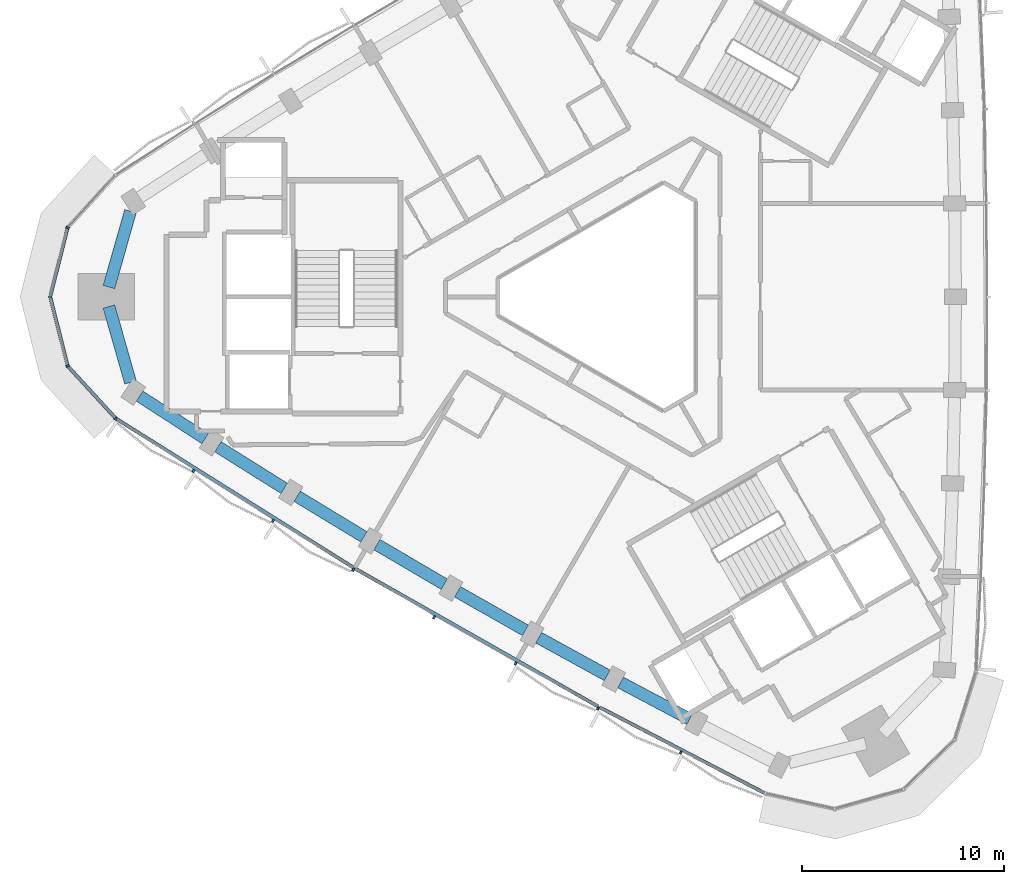
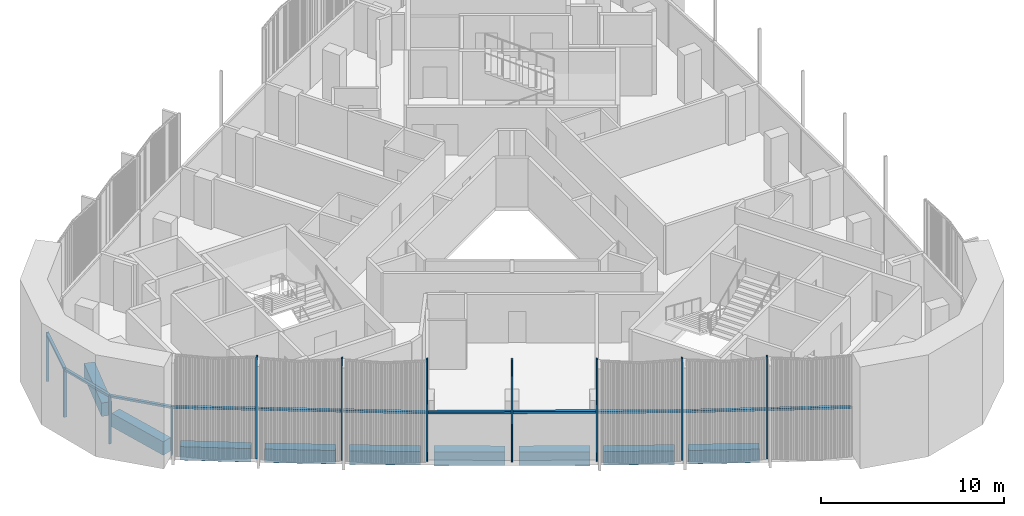
# One storey, part 2 of 14: 17 members, 9 beams, 2 elements without a shape of their own.
"""IFC4 building model written with IfcOpenShell, lengths in metres."""

from ifc_helpers import new_model, si_unit, direction, frame, origin, origin_2d, place, context, subcontext, project, spatial, rectangle, extrude, material, material_profile, profile_set, type_object, element, aggregate, save


model = new_model("IFC4")

# Units and contexts
model_context = context("Model", 3, precision=1e-05, world=origin(), true_north=direction((0.0, 1.0)))
body_context = subcontext(model_context, "Body", "Model", "MODEL_VIEW")
ifc_project = project(units=[si_unit("LENGTHUNIT", "METRE"), si_unit("AREAUNIT", "SQUARE_METRE"), si_unit("VOLUMEUNIT", "CUBIC_METRE"), si_unit("PLANEANGLEUNIT", "RADIAN"), si_unit("MASSUNIT", "GRAM", prefix="KILO")], contexts=[model_context])

# Site, building, storey
site_placement = place(None, origin())
site = spatial("IfcSite", under=ifc_project, at=site_placement, CompositionType="ELEMENT")
building_placement = place(site_placement, origin())
building = spatial("IfcBuilding", under=site, at=building_placement, Name="Tamra Quay Hotel Tower", CompositionType="ELEMENT")
storey_placement = place(building_placement, frame((0.0, 0.0, 250.199951171875)))
storey = spatial("IfcBuildingStorey", under=building, at=storey_placement, Name="L63", CompositionType="ELEMENT", Elevation=250.199951171875)

# Curtain wall, members
ifc_material_1 = material(Name="Aluminium 6063 anodised dark grey", Category="aluminium")
curtain_wall_type_1 = type_object("IfcCurtainWallType", Name="CW2 CURTAIN WALL", PredefinedType="NOTDEFINED", material=ifc_material_1)
curtain_wall_1_placement = place(storey_placement, origin())
curtain_wall_1 = element("IfcCurtainWall", 1, at=curtain_wall_1_placement, inside=storey, type_object=curtain_wall_type_1, Name="CW2 north-west face L63", PredefinedType="NOTDEFINED")
ifc_material_profile_1 = material_profile(ifc_material_1, rectangle(XDim=0.169921875, YDim=0.10009765625, at=origin_2d()), Name="MULLION 100X170")
ifc_profile_set_1 = profile_set([ifc_material_profile_1], Name="Aluminium 6063 anodised dark grey")
member_type_1 = type_object("IfcMemberType", Name="MULLION CW2 Z5", PredefinedType="MULLION", material=ifc_profile_set_1)
member_1_placement = place(storey_placement, frame((-27.329345703125, 3.427734375, 0.0), z_axis=(0.0, 0.0, 1.0), x_axis=(-0.880266804781, 0.474479032624, 0.0)))
member_1 = element("IfcMember", 2, at=member_1_placement, type_object=member_type_1, Name="CW2 mullion L63.NW.10", PredefinedType="MULLION", context=body_context, shape_type="SweptSolid", body=[
    extrude(rectangle(XDim=0.169921875, YDim=0.10009765625, at=origin_2d()), origin(), (0.0, 0.0, 1.0), 3.25),
])
member_2_placement = place(storey_placement, frame((-28.1943359375, 0.0, 0.0), z_axis=(0.0, 0.0, 1.0), x_axis=(-1.0, 0.0, 0.0)))
member_2 = element("IfcMember", 3, at=member_2_placement, type_object=member_type_1, Name="CW2 mullion L63.NW.11", PredefinedType="MULLION", context=body_context, shape_type="SweptSolid", body=[
    extrude(rectangle(XDim=0.169921875, YDim=0.10009765625, at=origin_2d()), origin(), (0.0, 0.0, 1.0), 3.25),
])
member_3_placement = place(storey_placement, frame((-27.329345703125, -3.427734375, 0.0), z_axis=(0.0, 0.0, 1.0), x_axis=(-0.880266804781, -0.474479032624, 0.0)))
member_3 = element("IfcMember", 4, at=member_3_placement, type_object=member_type_1, Name="CW2 mullion L63.NW.12", PredefinedType="MULLION", context=body_context, shape_type="SweptSolid", body=[
    extrude(rectangle(XDim=0.169921875, YDim=0.10009765625, at=origin_2d()), origin(), (0.0, 0.0, 1.0), 3.25),
])

curtain_wall_type_2 = type_object("IfcCurtainWallType", Name="CW3 CURTAIN WALL", PredefinedType="NOTDEFINED", material=ifc_material_1)
curtain_wall_2_placement = place(storey_placement, origin())
curtain_wall_2 = element("IfcCurtainWall", 5, at=curtain_wall_2_placement, inside=storey, type_object=curtain_wall_type_2, Name="CW3 south-west face L63", PredefinedType="NOTDEFINED")
ifc_material_profile_2 = material_profile(ifc_material_1, rectangle(XDim=0.169921875, YDim=0.10009765625, at=origin_2d()), Name="MULLION 100X170")
ifc_profile_set_2 = profile_set([ifc_material_profile_2], Name="Aluminium 6063 anodised dark grey")
member_type_2 = type_object("IfcMemberType", Name="MULLION CW3 Z5", PredefinedType="MULLION", material=ifc_profile_set_2)
member_4_placement = place(storey_placement, frame((-24.941650390625, -6.034423828125, 0.0), z_axis=(0.0, 0.0, 1.0), x_axis=(-0.645846473255, -0.763467309702, 0.0)))
member_4 = element("IfcMember", 6, at=member_4_placement, type_object=member_type_2, Name="CW3 mullion L63.SW.1", PredefinedType="MULLION", context=body_context, shape_type="SweptSolid", body=[
    extrude(rectangle(XDim=0.169921875, YDim=0.10009765625, at=origin_2d()), origin(), (0.0, 0.0, 1.0), 3.25),
])
member_5_placement = place(storey_placement, frame((-21.086669921875, -8.634033203125, 0.0), z_axis=(0.0, 0.0, 1.0), x_axis=(-0.537684349575, -0.84314621521, 0.0)))
member_5 = element("IfcMember", 7, at=member_5_placement, type_object=member_type_2, Name="CW3 mullion L63.SW.2", PredefinedType="MULLION", context=body_context, shape_type="SweptSolid", body=[
    extrude(rectangle(XDim=0.169921875, YDim=0.10009765625, at=origin_2d()), origin(), (0.0, 0.0, 1.0), 6.800048828125),
])
member_6_placement = place(storey_placement, frame((-17.14794921875, -11.10546875, 0.0), z_axis=(0.0, 0.0, 1.0), x_axis=(-0.525248894611, -0.850948646341, 0.0)))
member_6 = element("IfcMember", 8, at=member_6_placement, type_object=member_type_2, Name="CW3 mullion L63.SW.3", PredefinedType="MULLION", context=body_context, shape_type="SweptSolid", body=[
    extrude(rectangle(XDim=0.169921875, YDim=0.10009765625, at=origin_2d()), origin(), (0.0, 0.0, 1.0), 6.800048828125),
])
member_7_placement = place(storey_placement, frame((-13.173828125, -13.518310546875, 0.0), z_axis=(0.0, 0.0, 1.0), x_axis=(-0.512687492758, -0.858575293594, 0.0)))
member_7 = element("IfcMember", 9, at=member_7_placement, type_object=member_type_2, Name="CW3 mullion L63.SW.4", PredefinedType="MULLION", context=body_context, shape_type="SweptSolid", body=[
    extrude(rectangle(XDim=0.169921875, YDim=0.10009765625, at=origin_2d()), origin(), (0.0, 0.0, 1.0), 6.800048828125),
])
member_8_placement = place(storey_placement, frame((-9.1640625, -15.872802734375, 0.0), z_axis=(0.0, 0.0, 1.0), x_axis=(-0.5, -0.866025403784, 0.0)))
member_8 = element("IfcMember", 10, at=member_8_placement, type_object=member_type_2, Name="CW3 mullion L63.SW.5", PredefinedType="MULLION", context=body_context, shape_type="SweptSolid", body=[
    extrude(rectangle(XDim=0.169921875, YDim=0.10009765625, at=origin_2d()), origin(), (0.0, 0.0, 1.0), 6.800048828125),
])
member_9_placement = place(storey_placement, frame((-5.1201171875, -18.168212890625, 0.0), z_axis=(0.0, 0.0, 1.0), x_axis=(-0.487204268935, -0.873288039728, 0.0)))
member_9 = element("IfcMember", 11, at=member_9_placement, type_object=member_type_2, Name="CW3 mullion L63.SW.6", PredefinedType="MULLION", context=body_context, shape_type="SweptSolid", body=[
    extrude(rectangle(XDim=0.169921875, YDim=0.10009765625, at=origin_2d()), origin(), (0.0, 0.0, 1.0), 6.800048828125),
])
member_10_placement = place(storey_placement, frame((-1.043701171875, -20.4033203125, 0.0), z_axis=(0.0, 0.0, 1.0), x_axis=(-0.474318697742, -0.880353209213, 0.0)))
member_10 = element("IfcMember", 12, at=member_10_placement, type_object=member_type_2, Name="CW3 mullion L63.SW.7", PredefinedType="MULLION", context=body_context, shape_type="SweptSolid", body=[
    extrude(rectangle(XDim=0.169921875, YDim=0.10009765625, at=origin_2d()), origin(), (0.0, 0.0, 1.0), 6.800048828125),
])
member_11_placement = place(storey_placement, frame((3.06591796875, -22.57861328125, 0.0), z_axis=(0.0, 0.0, 1.0), x_axis=(-0.461343866689, -0.887221413554, 0.0)))
member_11 = element("IfcMember", 13, at=member_11_placement, type_object=member_type_2, Name="CW3 mullion L63.SW.8", PredefinedType="MULLION", context=body_context, shape_type="SweptSolid", body=[
    extrude(rectangle(XDim=0.169921875, YDim=0.10009765625, at=origin_2d()), origin(), (0.0, 0.0, 1.0), 6.800048828125),
])

# Beams
ifc_material_2 = material(Name="Concrete M60", Category="concrete")
ifc_material_profile_3 = material_profile(ifc_material_2, rectangle(XDim=0.60009765625, YDim=0.89990234375, at=origin_2d()), Name="SPANDREL BEAM RC 600x900")
ifc_profile_set_3 = profile_set([ifc_material_profile_3], Name="Concrete M60")
beam_type = type_object("IfcBeamType", Name="SPANDREL BEAM RC 600x900", PredefinedType="SPANDREL", material=ifc_profile_set_3)
for number, where, z_axis, x_axis, name in (
    (14, (-24.2119140625, 4.24365234375, -0.800048828125), (-0.273913429616, -0.961754351732, 0.0), (0.961754351732, -0.273913429616, 0.0), "BM-SP5-018-L63"),
    (15, (-25.28369140625, -0.48046875, -0.800048828125), (0.273913429616, -0.961754351732, 0.0), (0.961754351732, 0.273913429616, 0.0), "BM-SP5-019-L63"),
):
    element("IfcBeam", number, at=place(storey_placement, frame(where, z_axis=z_axis, x_axis=x_axis)), inside=storey, type_object=beam_type, Name=name, PredefinedType="SPANDREL", context=body_context, shape_type="SweptSolid", body=[
        extrude(rectangle(XDim=0.60009765625, YDim=0.89990234375, at=origin_2d()), origin(), (0.0, 0.0, 1.0), 3.912841796875),
    ])
beam_1_placement = place(storey_placement, frame((-23.76171875, -4.923583984375, -0.800048828125), z_axis=(0.839181205466, -0.543851914029, 0.0), x_axis=(0.543851914029, 0.839181205466, 0.0)))
element("IfcBeam", 16, at=beam_1_placement, inside=storey, type_object=beam_type, Name="BM-SP5-020-L63", PredefinedType="SPANDREL", context=body_context, shape_type="SweptSolid", body=[
    extrude(rectangle(XDim=0.60009765625, YDim=0.89990234375, at=origin_2d()), origin(), (0.0, 0.0, 1.0), 3.87548828125),
])
beam_2_placement = place(storey_placement, frame((-19.877197265625, -7.4345703125, -0.800048828125), z_axis=(0.847066119134, -0.53148752555, 0.0), x_axis=(0.53148752555, 0.847066119134, 0.0)))
element("IfcBeam", 17, at=beam_2_placement, inside=storey, type_object=beam_type, Name="BM-SP5-021-L63", PredefinedType="SPANDREL", context=body_context, shape_type="SweptSolid", body=[
    extrude(rectangle(XDim=0.60009765625, YDim=0.89990234375, at=origin_2d()), origin(), (0.0, 0.0, 1.0), 3.875),
])
beam_3_placement = place(storey_placement, frame((-15.95654296875, -9.887939453125, -0.800048828125), z_axis=(0.854785519234, -0.518981421737, 0.0), x_axis=(0.518981421737, 0.854785519234, 0.0)))
element("IfcBeam", 18, at=beam_3_placement, inside=storey, type_object=beam_type, Name="BM-SP5-022-L63", PredefinedType="SPANDREL", context=body_context, shape_type="SweptSolid", body=[
    extrude(rectangle(XDim=0.60009765625, YDim=0.89990234375, at=origin_2d()), origin(), (0.0, 0.0, 1.0), 3.875732421875),
])
beam_4_placement = place(storey_placement, frame((-11.999755859375, -12.283935546875, -0.800048828125), z_axis=(0.862324287816, -0.506356418585, 0.0), x_axis=(0.506356418585, 0.862324287816, 0.0)))
element("IfcBeam", 19, at=beam_4_placement, inside=storey, type_object=beam_type, Name="BM-SP5-023-L63", PredefinedType="SPANDREL", context=body_context, shape_type="SweptSolid", body=[
    extrude(rectangle(XDim=0.60009765625, YDim=0.89990234375, at=origin_2d()), origin(), (0.0, 0.0, 1.0), 3.875),
])
beam_5_placement = place(storey_placement, frame((-8.008544921875, -14.62109375, -0.800048828125), z_axis=(0.86967787455, -0.493619686113, 0.0), x_axis=(0.493619686113, 0.86967787455, 0.0)))
element("IfcBeam", 20, at=beam_5_placement, inside=storey, type_object=beam_type, Name="BM-SP5-024-L63", PredefinedType="SPANDREL", context=body_context, shape_type="SweptSolid", body=[
    extrude(rectangle(XDim=0.60009765625, YDim=0.89990234375, at=origin_2d()), origin(), (0.0, 0.0, 1.0), 3.875244140625),
])
beam_6_placement = place(storey_placement, frame((-3.9833984375, -16.8994140625, -0.800048828125), z_axis=(0.876838966376, -0.480784179279, 0.0), x_axis=(0.480784179279, 0.876838966376, 0.0)))
element("IfcBeam", 21, at=beam_6_placement, inside=storey, type_object=beam_type, Name="BM-SP5-025-L63", PredefinedType="SPANDREL", context=body_context, shape_type="SweptSolid", body=[
    extrude(rectangle(XDim=0.60009765625, YDim=0.89990234375, at=origin_2d()), origin(), (0.0, 0.0, 1.0), 3.87548828125),
])
beam_7_placement = place(storey_placement, frame((0.0751953125, -19.118408203125, -0.800048828125), z_axis=(0.883803240878, -0.467858772937, 0.0), x_axis=(0.467858772937, 0.883803240878, 0.0)))
element("IfcBeam", 22, at=beam_7_placement, inside=storey, type_object=beam_type, Name="BM-SP5-026-L63", PredefinedType="SPANDREL", context=body_context, shape_type="SweptSolid", body=[
    extrude(rectangle(XDim=0.60009765625, YDim=0.89990234375, at=origin_2d()), origin(), (0.0, 0.0, 1.0), 3.875),
])

# Member
ifc_material_profile_4 = material_profile(ifc_material_1, rectangle(XDim=0.169921875, YDim=0.139892578125, at=origin_2d()), Name="TRANSOM 170X140")
ifc_profile_set_4 = profile_set([ifc_material_profile_4], Name="Aluminium 6063 anodised dark grey")
member_type_3 = type_object("IfcMemberType", Name="TRANSOM CW2 Z5", PredefinedType="USERDEFINED", material=ifc_profile_set_4)
member_12_placement = place(storey_placement, frame((-27.341552734375, 3.379150390625, 3.179931640625), z_axis=(-0.244709055597, -0.969596554299, 0.0), x_axis=(0.969596554299, -0.244709055597, 0.0)))
member_12 = element("IfcMember", 23, at=member_12_placement, type_object=member_type_3, Name="CW2 transom L63.NW.10", ObjectType="TRANSOM", PredefinedType="USERDEFINED", context=body_context, shape_type="SweptSolid", body=[
    extrude(rectangle(XDim=0.169921875, YDim=0.139892578125, at=origin_2d()), origin(), (0.0, 0.0, 1.0), 3.43505859375),
])

member_13_placement = place(storey_placement, frame((-28.18212890625, -0.048583984375, 3.179931640625), z_axis=(0.244709055597, -0.969596554299, 0.0), x_axis=(0.969596554299, 0.244709055597, 0.0)))
member_13 = element("IfcMember", 24, at=member_13_placement, type_object=member_type_3, Name="CW2 transom L63.NW.11", ObjectType="TRANSOM", PredefinedType="USERDEFINED", context=body_context, shape_type="SweptSolid", body=[
    extrude(rectangle(XDim=0.169921875, YDim=0.139892578125, at=origin_2d()), origin(), (0.0, 0.0, 1.0), 3.43505859375),
])

member_14_placement = place(storey_placement, frame((-27.295654296875, -3.464599609375, 3.179931640625), z_axis=(0.675476773907, -0.737381263603, 0.0), x_axis=(0.737381263603, 0.675476773907, 0.0)))
member_14 = element("IfcMember", 25, at=member_14_placement, type_object=member_type_3, Name="CW2 transom L63.NW.12", ObjectType="TRANSOM", PredefinedType="USERDEFINED", context=body_context, shape_type="SweptSolid", body=[
    extrude(rectangle(XDim=0.169921875, YDim=0.139892578125, at=origin_2d()), origin(), (0.0, 0.0, 1.0), 3.43505859375),
])

aggregate(curtain_wall_1, [member_1, member_12, member_2, member_13, member_3, member_14])

ifc_material_profile_5 = material_profile(ifc_material_1, rectangle(XDim=0.169921875, YDim=0.139892578125, at=origin_2d()), Name="TRANSOM 170X140")
ifc_profile_set_5 = profile_set([ifc_material_profile_5], Name="Aluminium 6063 anodised dark grey")
member_type_4 = type_object("IfcMemberType", Name="TRANSOM CW3 Z5", PredefinedType="USERDEFINED", material=ifc_profile_set_5)
member_15_placement = place(storey_placement, frame((-24.899658203125, -6.061767578125, 3.179931640625), z_axis=(0.847069654587, -0.531481890829, 0.0), x_axis=(0.531481890829, 0.847069654587, 0.0)))
member_15 = element("IfcMember", 26, at=member_15_placement, type_object=member_type_4, Name="CW3 transom L63.SW.1", ObjectType="TRANSOM", PredefinedType="USERDEFINED", context=body_context, shape_type="SweptSolid", body=[
    extrude(rectangle(XDim=0.169921875, YDim=0.139892578125, at=origin_2d()), origin(), (0.0, 0.0, 1.0), 13.84375),
])

member_16_placement = place(storey_placement, frame((-13.087158203125, -13.470703125, 3.179931640625), z_axis=(0.869679572469, -0.493616694642, 0.0), x_axis=(0.493616694642, 0.869679572469, 0.0)))
member_16 = element("IfcMember", 27, at=member_16_placement, type_object=member_type_4, Name="CW3 transom L63.SW.4", ObjectType="TRANSOM", PredefinedType="USERDEFINED", context=body_context, shape_type="SweptSolid", body=[
    extrude(rectangle(XDim=0.169921875, YDim=0.139892578125, at=origin_2d()), origin(), (0.0, 0.0, 1.0), 13.84423828125),
])

member_17_placement = place(storey_placement, frame((-0.959228515625, -20.351806640625, 3.179931640625), z_axis=(0.887215931947, -0.461354408345, 0.0), x_axis=(0.461354408345, 0.887215931947, 0.0)))
member_17 = element("IfcMember", 28, at=member_17_placement, type_object=member_type_4, Name="CW3 transom L63.SW.7", ObjectType="TRANSOM", PredefinedType="USERDEFINED", context=body_context, shape_type="SweptSolid", body=[
    extrude(rectangle(XDim=0.169921875, YDim=0.139892578125, at=origin_2d()), origin(), (0.0, 0.0, 1.0), 9.19677734375),
])

aggregate(curtain_wall_2, [member_4, member_15, member_5, member_6, member_7, member_16, member_8, member_9, member_10, member_17, member_11])

save(model, "model.ifc")
